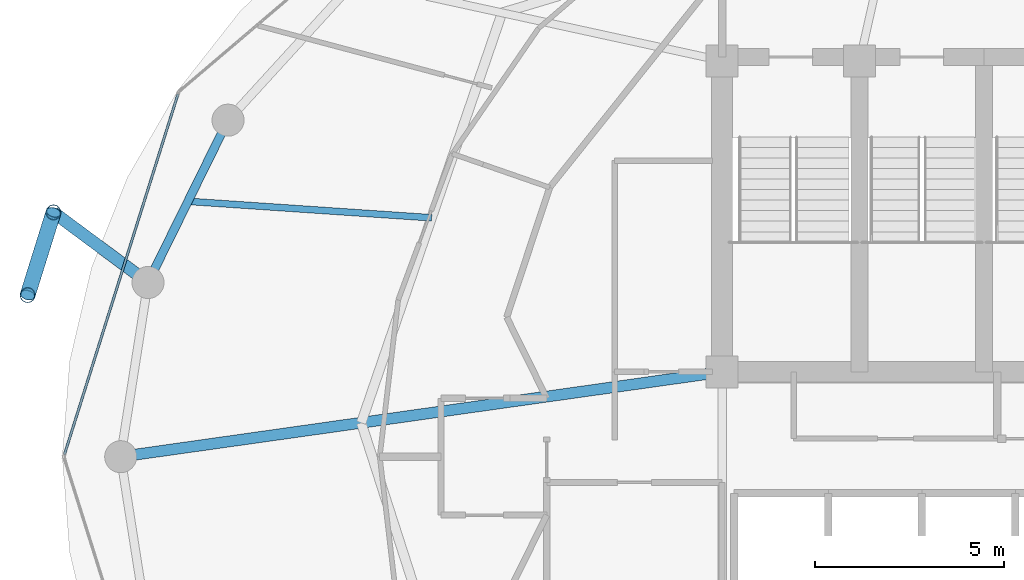
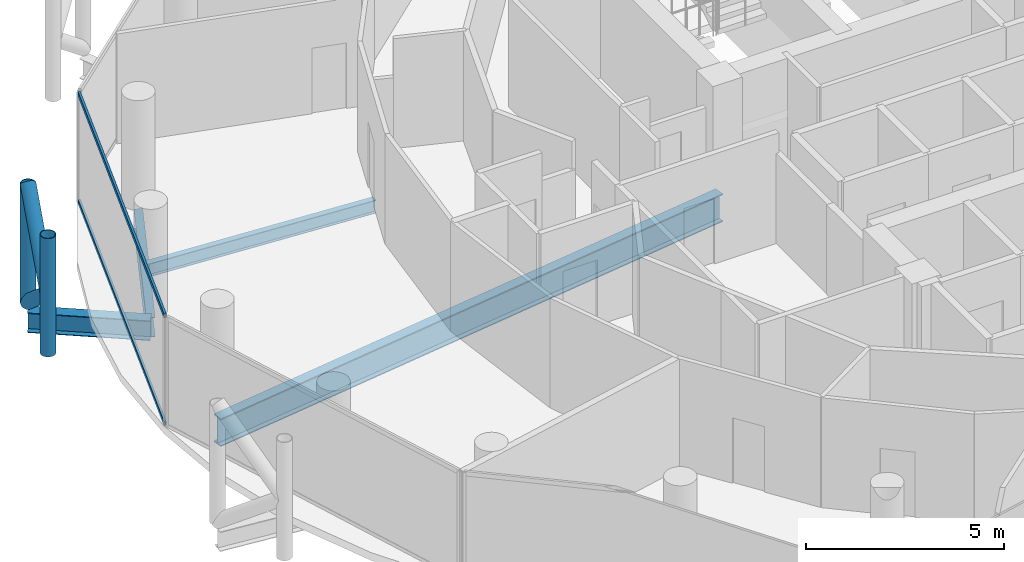
# One storey, part 8 of 27: 6 members, 4 beams, 1 element without a shape of its own.
"""IFC4 building model written with IfcOpenShell, lengths in metres."""

from ifc_helpers import new_model, si_unit, direction, frame, origin, origin_2d, place, context, subcontext, project, spatial, hollow_rectangle, hollow_circle, i_section, extrude, material, layer, layer_set, material_profile, profile_set, type_object, element, aggregate, save


model = new_model("IFC4")

# Units and contexts
model_context = context("Model", 3, precision=1e-05, world=origin(), true_north=direction((0.0, 1.0)))
body_context = subcontext(model_context, "Body", "Model", "MODEL_VIEW")
ifc_project = project(units=[si_unit("LENGTHUNIT", "METRE"), si_unit("AREAUNIT", "SQUARE_METRE"), si_unit("VOLUMEUNIT", "CUBIC_METRE"), si_unit("PLANEANGLEUNIT", "RADIAN"), si_unit("MASSUNIT", "GRAM", prefix="KILO")], contexts=[model_context])

# Site, building, storey
site_placement = place(None, origin())
site = spatial("IfcSite", under=ifc_project, at=site_placement, CompositionType="ELEMENT")
building_placement = place(site_placement, origin())
building = spatial("IfcBuilding", under=site, at=building_placement, Name="Nuhasar Tower", CompositionType="ELEMENT")
storey_placement = place(building_placement, frame((0.0, 0.0, 251.949951171875)))
storey = spatial("IfcBuildingStorey", under=building, at=storey_placement, Name="L62", CompositionType="ELEMENT", Elevation=251.949951171875)

# Beams
ifc_material_1 = material(Name="Steel S355", Category="steel")
ifc_material_profile_1 = material_profile(ifc_material_1, i_section(OverallWidth=0.177978515625, OverallDepth=0.406005859375, WebThickness=0.0078125, FlangeThickness=0.0126953125, at=origin_2d()), Name="W16X40")
ifc_profile_set_1 = profile_set([ifc_material_profile_1], Name="Steel S355")
beam_type_1 = type_object("IfcBeamType", Name="BM-JST-W16X40", PredefinedType="JOIST", material=ifc_profile_set_1)
beam_1_placement = place(storey_placement, frame((25.9970703125, 33.135986328125, -0.44287109375), z_axis=(-0.997721156568, 0.067472170095, 0.0), x_axis=(-0.067472170095, -0.997721156568, 0.0)))
element("IfcBeam", 1, at=beam_1_placement, inside=storey, type_object=beam_type_1, Name="L62 Secondary Floor Joist 07", PredefinedType="JOIST", context=body_context, shape_type="SweptSolid", body=[
    extrude(i_section(OverallWidth=0.177978515625, OverallDepth=0.406005859375, WebThickness=0.0078125, FlangeThickness=0.0126953125, at=origin_2d()), origin(), (0.0, 0.0, 1.0), 6.476806640625),
])
ifc_material_profile_2 = material_profile(ifc_material_1, i_section(OverallWidth=0.2919921875, OverallDepth=0.85888671875, WebThickness=0.01708984375, FlangeThickness=0.031005859375, at=origin_2d()), Name="W33X169")
ifc_profile_set_2 = profile_set([ifc_material_profile_2], Name="Steel S355")
beam_type_2 = type_object("IfcBeamType", Name="BM-POD-W33X169", PredefinedType="BEAM", material=ifc_profile_set_2)
beam_2_placement = place(storey_placement, frame((33.699951171875, 29.050048828125, -0.6689453125), z_axis=(-0.990196233464, -0.139683281866, 0.0), x_axis=(0.139683281866, -0.990196233464, 0.0)))
element("IfcBeam", 2, at=beam_2_placement, inside=storey, type_object=beam_type_2, Name="L62 Radial Floor Girder 08", PredefinedType="BEAM", context=body_context, shape_type="SweptSolid", body=[
    extrude(i_section(OverallWidth=0.2919921875, OverallDepth=0.85888671875, WebThickness=0.01708984375, FlangeThickness=0.031005859375, at=origin_2d()), origin(), (0.0, 0.0, 1.0), 16.10791015625),
])
ifc_material_profile_3 = material_profile(ifc_material_1, i_section(OverallWidth=0.22802734375, OverallDepth=0.60791015625, WebThickness=0.01123046875, FlangeThickness=0.017333984375, at=origin_2d()), Name="W24X76")
ifc_profile_set_3 = profile_set([ifc_material_profile_3], Name="Steel S355")
beam_type_3 = type_object("IfcBeamType", Name="BM-RING-W24X76", PredefinedType="SPANDREL", material=ifc_profile_set_3)
beam_3_placement = place(storey_placement, frame((20.596923828125, 35.72509765625, -0.5439453125), z_axis=(-0.442242604409, -0.896895467067, 0.0), x_axis=(0.896895467067, -0.442242604409, 0.0)))
element("IfcBeam", 3, at=beam_3_placement, inside=storey, type_object=beam_type_3, Name="L62 Perimeter Ring Spandrel 11", PredefinedType="SPANDREL", context=body_context, shape_type="SweptSolid", body=[
    extrude(i_section(OverallWidth=0.22802734375, OverallDepth=0.60791015625, WebThickness=0.01123046875, FlangeThickness=0.017333984375, at=origin_2d()), origin(), (0.0, 0.0, 1.0), 4.800048828125),
])
ifc_material_profile_4 = material_profile(ifc_material_1, i_section(OverallWidth=0.323974609375, OverallDepth=0.611083984375, WebThickness=0.0126953125, FlangeThickness=0.01904296875, at=origin_2d()), Name="W24X104")
ifc_profile_set_4 = profile_set([ifc_material_profile_4], Name="Steel S355")
beam_type_4 = type_object("IfcBeamType", Name="BM-TIE-W24X104", PredefinedType="BEAM", material=ifc_profile_set_4)
beam_4_placement = place(storey_placement, frame((18.47412109375, 31.419921875, -0.544921875), z_axis=(-0.802945922723, 0.596051881285, 0.0), x_axis=(-0.596051881285, -0.802945922723, 0.0)))
element("IfcBeam", 4, at=beam_4_placement, inside=storey, type_object=beam_type_4, Name="L62 Exoskeleton Node Tie Beam 06", PredefinedType="BEAM", context=body_context, shape_type="SweptSolid", body=[
    extrude(i_section(OverallWidth=0.323974609375, OverallDepth=0.611083984375, WebThickness=0.0126953125, FlangeThickness=0.01904296875, at=origin_2d()), origin(), (0.0, 0.0, 1.0), 3.122314453125),
])

# Curtain wall, members
ifc_material_2 = material(Name="Aluminium 6063-T6", Category="aluminium")
ifc_layer = layer(ifc_material_2, 0.18994140625)
ifc_layer_set = layer_set([ifc_layer], Name="Aluminium 6063-T6")
curtain_wall_type = type_object("IfcCurtainWallType", Name="CW-Z3-RES", PredefinedType="NOTDEFINED", material=ifc_layer_set)
curtain_wall_placement = place(storey_placement, origin())
curtain_wall = element("IfcCurtainWall", 5, at=curtain_wall_placement, inside=storey, type_object=curtain_wall_type, Name="L62 Unitised Curtain Wall 06", PredefinedType="NOTDEFINED")
ifc_material_profile_5 = material_profile(ifc_material_2, hollow_rectangle(XDim=0.06494140625, YDim=0.139892578125, WallThickness=0.00439453125, at=origin_2d()), Name="CWT-4")
ifc_profile_set_5 = profile_set([ifc_material_profile_5], Name="Aluminium 6063-T6")
member_type_1 = type_object("IfcMemberType", Name="CW-TRN-S4", PredefinedType="USERDEFINED", material=ifc_profile_set_5)
member_1_placement = place(storey_placement, frame((19.26953125, 36.41796875, 0.032470703125), z_axis=(-0.300437373386, -0.953801543652, 0.0), x_axis=(0.953801543652, -0.300437373386, 0.0)))
member_1 = element("IfcMember", 6, at=member_1_placement, type_object=member_type_1, Name="CW-Z3 transom 1.1", ObjectType="TRANSOM", PredefinedType="USERDEFINED", context=body_context, shape_type="SweptSolid", body=[
    extrude(hollow_rectangle(XDim=0.06494140625, YDim=0.139892578125, WallThickness=0.00439453125, at=origin_2d()), origin(), (0.0, 0.0, 1.0), 10.018798828125),
])
member_2_placement = place(storey_placement, frame((19.26953125, 36.41796875, 3.357666015625), z_axis=(-0.300437373386, -0.953801543652, 0.0), x_axis=(0.953801543652, -0.300437373386, 0.0)))
member_2 = element("IfcMember", 7, at=member_2_placement, type_object=member_type_1, Name="CW-Z3 transom 1.2", ObjectType="TRANSOM", PredefinedType="USERDEFINED", context=body_context, shape_type="SweptSolid", body=[
    extrude(hollow_rectangle(XDim=0.06494140625, YDim=0.139892578125, WallThickness=0.00439453125, at=origin_2d()), origin(), (0.0, 0.0, 1.0), 10.018798828125),
])
aggregate(curtain_wall, [member_1, member_2])

# Members
ifc_material_3 = material(Name="Steel S460", Category="steel")
ifc_material_profile_6 = material_profile(ifc_material_3, hollow_circle(Radius=0.203125, WallThickness=0.01904296875, at=origin_2d()), Name="HSS406.4X19.1")
ifc_profile_set_6 = profile_set([ifc_material_profile_6], Name="Steel S460")
member_type_2 = type_object("IfcMemberType", Name="EXO-BRONZE-406", PredefinedType="BRACE", material=ifc_profile_set_6)
for number, where, z_axis, x_axis, name in (
    (8, (15.967041015625, 33.281005859375, 0.0), (0.0, 0.0, 1.0), (1.0, 0.0, 0.0), "L62 Exoskeleton Chord Column EC-06A"),
    (9, (15.281982421875, 31.0859375, 0.0), (0.0, 0.0, 1.0), (1.0, 0.0, 0.0), "L62 Exoskeleton Chord Column EC-06B"),
):
    element("IfcMember", number, at=place(storey_placement, frame(where, z_axis=z_axis, x_axis=x_axis)), inside=storey, type_object=member_type_2, Name=name, PredefinedType="BRACE", context=body_context, shape_type="SweptSolid", body=[
        extrude(hollow_circle(Radius=0.203125, WallThickness=0.01904296875, at=origin_2d()), origin(), (0.0, 0.0, 1.0), 3.650146484375),
    ])
member_3_placement = place(storey_placement, frame((15.967041015625, 33.281005859375, 0.0), z_axis=(-0.233357911711, -0.747726651531, 0.621650174641), x_axis=(0.954591372974, -0.297918295247, 0.0)))
element("IfcMember", 10, at=member_3_placement, inside=storey, type_object=member_type_2, Name="L62 Bronze Diagrid Brace W1-06", PredefinedType="BRACE", context=body_context, shape_type="SweptSolid", body=[
    extrude(hollow_circle(Radius=0.203125, WallThickness=0.01904296875, at=origin_2d()), origin(), (0.0, 0.0, 1.0), 2.935546875),
])
member_4_placement = place(storey_placement, frame((15.281982421875, 31.0859375, 1.824951171875), z_axis=(0.233345847503, 0.747687995332, 0.621701195985), x_axis=(-0.954591372974, 0.297918295247, 0.0)))
element("IfcMember", 11, at=member_4_placement, inside=storey, type_object=member_type_2, Name="L62 Bronze Diagrid Brace W2-06", PredefinedType="BRACE", context=body_context, shape_type="SweptSolid", body=[
    extrude(hollow_circle(Radius=0.203125, WallThickness=0.01904296875, at=origin_2d()), origin(), (0.0, 0.0, 1.0), 2.935791015625),
])

save(model, "model.ifc")
